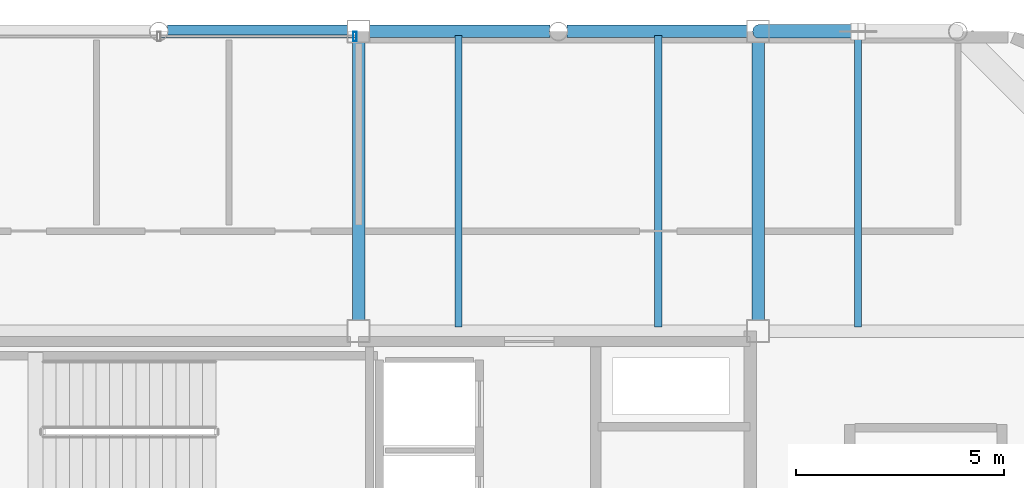
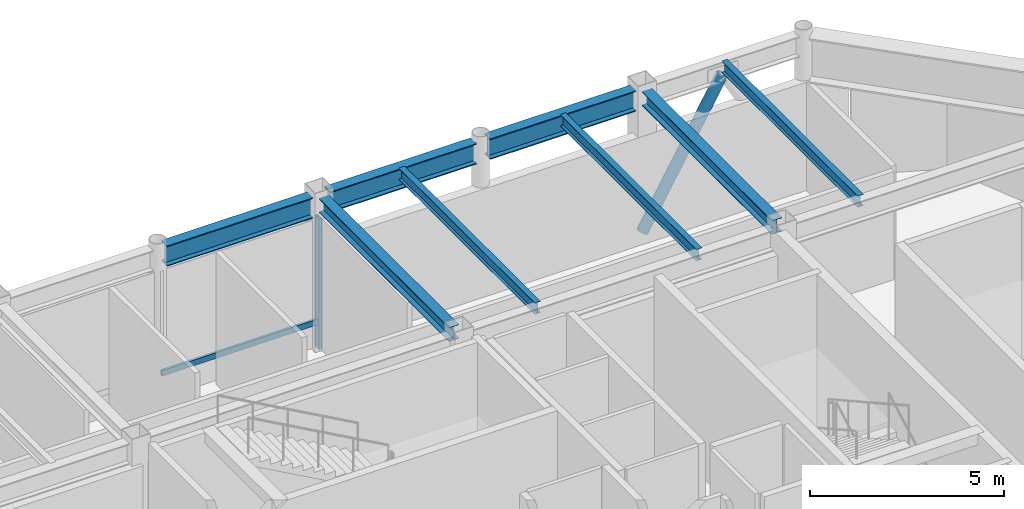
# One storey, part 14 of 21: 8 beams, 3 members, 1 element without a shape of its own.
"""IFC4 building model written with IfcOpenShell, lengths in metres."""

from ifc_helpers import new_model, si_unit, direction, frame, origin, origin_2d, place, context, subcontext, project, spatial, hollow_rectangle, hollow_circle, i_section, extrude, material, layer, layer_set, material_profile, profile_set, type_object, element, aggregate, save


model = new_model("IFC4")

# Units and contexts
model_context = context("Model", 3, precision=1e-05, world=origin(), true_north=direction((0.0, 1.0)))
body_context = subcontext(model_context, "Body", "Model", "MODEL_VIEW")
ifc_project = project(units=[si_unit("LENGTHUNIT", "METRE"), si_unit("AREAUNIT", "SQUARE_METRE"), si_unit("VOLUMEUNIT", "CUBIC_METRE"), si_unit("PLANEANGLEUNIT", "RADIAN"), si_unit("MASSUNIT", "GRAM", prefix="KILO")], contexts=[model_context])

# Site, building, storey
site_placement = place(None, origin())
site = spatial("IfcSite", under=ifc_project, at=site_placement, CompositionType="ELEMENT")
building_placement = place(site_placement, origin())
building = spatial("IfcBuilding", under=site, at=building_placement, Name="Kallvorn Hotel Tower", CompositionType="ELEMENT")
storey_placement = place(building_placement, frame((0.0, 0.0, 290.60009765625)))
storey = spatial("IfcBuildingStorey", under=building, at=storey_placement, Name="L72", CompositionType="ELEMENT", Elevation=290.60009765625)

# Beams
ifc_material_1 = material(Name="Structural steel S355JR", Category="steel")
ifc_material_profile_1 = material_profile(ifc_material_1, i_section(OverallWidth=0.300048828125, OverallDepth=0.43994140625, WebThickness=0.011474609375, FlangeThickness=0.02099609375, at=origin_2d()), Name="HE 450 A")
ifc_profile_set_1 = profile_set([ifc_material_profile_1], Name="Structural steel S355JR")
beam_type_1 = type_object("IfcBeamType", Name="BM_HE450A", PredefinedType="BEAM", material=ifc_profile_set_1)
for number, where, z_axis, x_axis, name in (
    (1, (4.800048828125, 7.449951171875, 4.579833984375), (0.0, 1.0, 0.0), (-1.0, 0.0, 0.0), "L73 Primary Y-Girder 42"),
    (2, (14.39990234375, 7.449951171875, 4.579833984375), (0.0, 1.0, 0.0), (-1.0, 0.0, 0.0), "L73 Primary Y-Girder 45"),
):
    element("IfcBeam", number, at=place(storey_placement, frame(where, z_axis=z_axis, x_axis=x_axis)), inside=storey, type_object=beam_type_1, Name=name, PredefinedType="BEAM", context=body_context, shape_type="SweptSolid", body=[
        extrude(i_section(OverallWidth=0.300048828125, OverallDepth=0.43994140625, WebThickness=0.011474609375, FlangeThickness=0.02099609375, at=origin_2d()), origin(), (0.0, 0.0, 1.0), 6.699951171875),
    ])
ifc_material_2 = material(Name="Structural steel S355JR", Category="steel")
ifc_material_profile_2 = material_profile(ifc_material_2, i_section(OverallWidth=0.300048828125, OverallDepth=0.64990234375, WebThickness=0.01611328125, FlangeThickness=0.031005859375, at=origin_2d()), Name="HE 650 B")
ifc_profile_set_2 = profile_set([ifc_material_profile_2], Name="Structural steel S355JR")
beam_type_2 = type_object("IfcBeamType", Name="BM_HE650B", PredefinedType="BEAM", material=ifc_profile_set_2)
for number, where, z_axis, x_axis, name in (
    (3, (0.20361328125, 14.39990234375, 4.474853515625), (1.0, 0.0, 0.0), (0.0, 1.0, 0.0), "L73 Primary X-Girder 21"),
    (4, (5.050048828125, 14.39990234375, 4.474853515625), (1.0, 0.0, 0.0), (0.0, 1.0, 0.0), "L73 Primary X-Girder 22"),
    (5, (9.803466796875, 14.39990234375, 4.474853515625), (1.0, 0.0, 0.0), (0.0, 1.0, 0.0), "L73 Primary X-Girder 23"),
):
    element("IfcBeam", number, at=place(storey_placement, frame(where, z_axis=z_axis, x_axis=x_axis)), inside=storey, type_object=beam_type_2, Name=name, PredefinedType="BEAM", context=body_context, shape_type="SweptSolid", body=[
        extrude(i_section(OverallWidth=0.300048828125, OverallDepth=0.64990234375, WebThickness=0.01611328125, FlangeThickness=0.031005859375, at=origin_2d()), origin(), (0.0, 0.0, 1.0), 4.346435546875),
    ])
ifc_material_3 = material(Name="Structural steel S355JR", Category="steel")
ifc_material_profile_3 = material_profile(ifc_material_3, i_section(OverallWidth=0.169921875, OverallDepth=0.360107421875, WebThickness=0.008056640625, FlangeThickness=0.0126953125, at=origin_2d()), Name="IPE 360")
ifc_profile_set_3 = profile_set([ifc_material_profile_3], Name="Structural steel S355JR")
beam_type_3 = type_object("IfcBeamType", Name="BM_IPE360", PredefinedType="JOIST", material=ifc_profile_set_3)
for number, where, z_axis, x_axis, name in (
    (6, (7.199951171875, 7.300048828125, 4.619873046875), (0.0, 1.0, 0.0), (-1.0, 0.0, 0.0), "L73 Secondary Composite Joist 100"),
    (7, (12.0, 7.300048828125, 4.619873046875), (0.0, 1.0, 0.0), (-1.0, 0.0, 0.0), "L73 Secondary Composite Joist 102"),
    (8, (16.800048828125, 7.300048828125, 4.619873046875), (0.0, 1.0, 0.0), (-1.0, 0.0, 0.0), "L73 Secondary Composite Joist 104"),
):
    element("IfcBeam", number, at=place(storey_placement, frame(where, z_axis=z_axis, x_axis=x_axis)), inside=storey, type_object=beam_type_3, Name=name, PredefinedType="JOIST", context=body_context, shape_type="SweptSolid", body=[
        extrude(i_section(OverallWidth=0.169921875, OverallDepth=0.360107421875, WebThickness=0.008056640625, FlangeThickness=0.0126953125, at=origin_2d()), origin(), (0.0, 0.0, 1.0), 7.0),
    ])

# Curtain wall, members
ifc_material_4 = material(Name="Thermally broken black-anodised aluminium AA 6063-T6", Category="aluminium")
ifc_layer = layer(ifc_material_4, 0.25)
ifc_layer_set = layer_set([ifc_layer], Name="CW_SYS_6_SUMMIT_OBS")
curtain_wall_type = type_object("IfcCurtainWallType", Name="CW_SYS_6_SUMMIT_OBS", PredefinedType="USERDEFINED", material=ifc_layer_set)
curtain_wall_placement = place(storey_placement, origin())
curtain_wall = element("IfcCurtainWall", 9, at=curtain_wall_placement, inside=storey, type_object=curtain_wall_type, Name="L72 Dark-Glass Curtain Wall CW-L72-NC", ObjectType="UNITISED CURTAIN WALL", PredefinedType="USERDEFINED")
ifc_material_5 = material(Name="Thermally broken black-anodised aluminium AA 6063-T6", Category="aluminium")
ifc_material_profile_4 = material_profile(ifc_material_5, hollow_rectangle(XDim=0.080078125, YDim=0.219970703125, WallThickness=0.0048828125, at=origin_2d()), Name="MUL 220x80")
ifc_profile_set_4 = profile_set([ifc_material_profile_4], Name="Thermally broken black-anodised aluminium AA 6063-T6")
member_type_1 = type_object("IfcMemberType", Name="CW_MULLION_220x80", PredefinedType="MULLION", material=ifc_profile_set_4)
member_1_placement = place(storey_placement, frame((4.7099609375, 14.280029296875, 0.02001953125), z_axis=(0.0, 0.0, 1.0), x_axis=(1.0, 0.0, 0.0)))
member_1 = element("IfcMember", 10, at=member_1_placement, type_object=member_type_1, Name="CW-L72-NC Mullion 02", PredefinedType="MULLION", context=body_context, shape_type="SweptSolid", body=[
    extrude(hollow_rectangle(XDim=0.080078125, YDim=0.219970703125, WallThickness=0.0048828125, at=origin_2d()), origin(), (0.0, 0.0, 1.0), 4.10986328125),
])
ifc_material_6 = material(Name="Thermally broken black-anodised aluminium AA 6063-T6", Category="aluminium")
ifc_material_profile_5 = material_profile(ifc_material_6, hollow_rectangle(XDim=0.070068359375, YDim=0.179931640625, WallThickness=0.00390625, at=origin_2d()), Name="TRN 180x70")
ifc_profile_set_5 = profile_set([ifc_material_profile_5], Name="Thermally broken black-anodised aluminium AA 6063-T6")
member_type_2 = type_object("IfcMemberType", Name="CW_TRANSOM_180x70", PredefinedType="USERDEFINED", material=ifc_profile_set_5)
member_2_placement = place(storey_placement, frame((0.0400390625, 14.280029296875, 0.849853515625), z_axis=(1.0, 0.0, 0.0), x_axis=(0.0, 1.0, 0.0)))
member_2 = element("IfcMember", 11, at=member_2_placement, type_object=member_type_2, Name="CW-L72-NC Transom 01M", ObjectType="TRANSOM", PredefinedType="USERDEFINED", context=body_context, shape_type="SweptSolid", body=[
    extrude(hollow_rectangle(XDim=0.070068359375, YDim=0.179931640625, WallThickness=0.00390625, at=origin_2d()), origin(), (0.0, 0.0, 1.0), 4.669921875),
])
aggregate(curtain_wall, [member_1, member_2])

# Member
ifc_material_7 = material(Name="Structural steel S355J2H", Category="steel")
ifc_material_profile_6 = material_profile(ifc_material_7, hollow_circle(Radius=0.161865234375, WallThickness=0.012451171875, at=origin_2d()), Name="CHS 323.9x12.5")
ifc_profile_set_6 = profile_set([ifc_material_profile_6], Name="Structural steel S355J2H")
member_type_3 = type_object("IfcMemberType", Name="MBR_EXO_CHS323", PredefinedType="BRACE", material=ifc_profile_set_6)
member_3_placement = place(storey_placement, frame((14.409912109375, 14.39990234375, 0.197265625), z_axis=(0.499750558989, 0.0, 0.866169370729), x_axis=(0.0, 1.0, 0.0)))
element("IfcMember", 12, at=member_3_placement, inside=storey, type_object=member_type_3, Name="L72 Exoskeleton K-Brace N2A", PredefinedType="BRACE", context=body_context, shape_type="SweptSolid", body=[
    extrude(hollow_circle(Radius=0.161865234375, WallThickness=0.012451171875, at=origin_2d()), origin(), (0.0, 0.0, 1.0), 4.7626953125),
])

save(model, "model.ifc")
